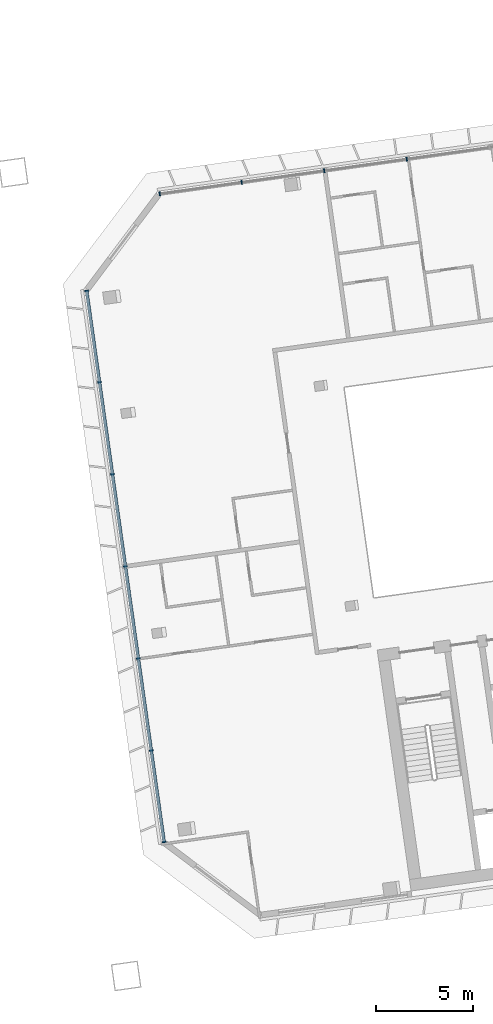
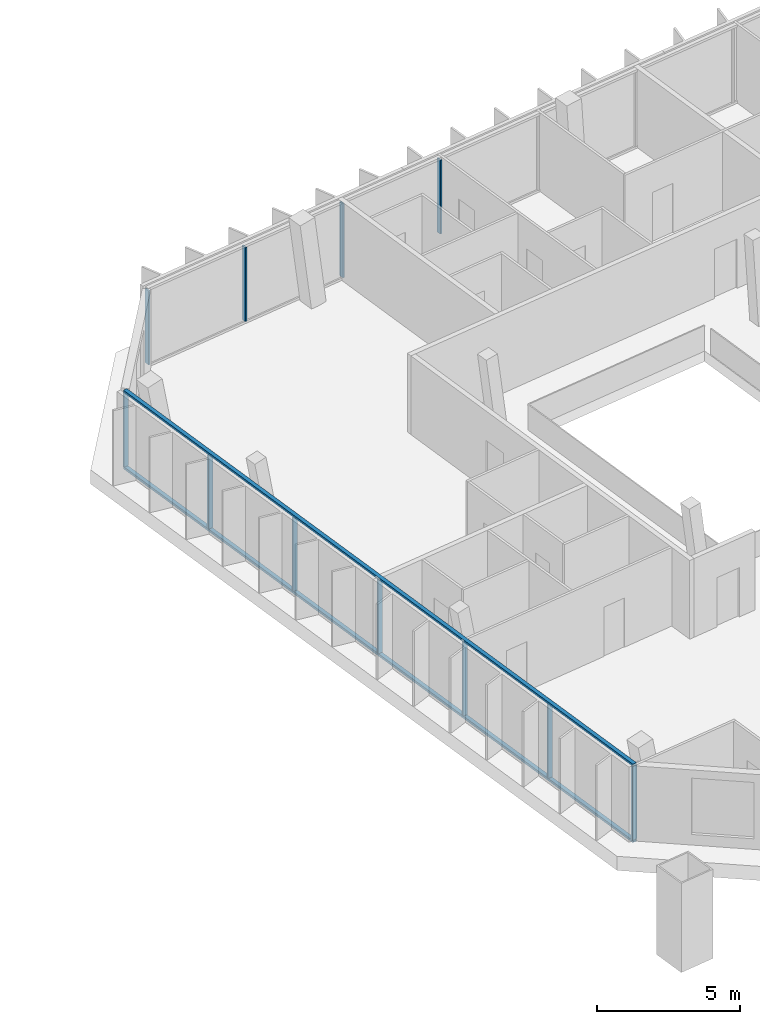
# One storey, part 6 of 19: 13 members, 2 elements without a shape of their own.
"""IFC4 building model written with IfcOpenShell, lengths in metres."""

from ifc_helpers import new_model, si_unit, direction, frame, origin, origin_2d, place, context, subcontext, project, spatial, rectangle, extrude, material, material_profile, profile_set, type_object, element, aggregate, save


model = new_model("IFC4")

# Units and contexts
model_context = context("Model", 3, precision=1e-05, world=origin(), true_north=direction((0.0, 1.0)))
body_context = subcontext(model_context, "Body", "Model", "MODEL_VIEW")
ifc_project = project(units=[si_unit("LENGTHUNIT", "METRE"), si_unit("AREAUNIT", "SQUARE_METRE"), si_unit("VOLUMEUNIT", "CUBIC_METRE"), si_unit("PLANEANGLEUNIT", "RADIAN"), si_unit("MASSUNIT", "GRAM", prefix="KILO")], contexts=[model_context])

# Site, building, storey
site_placement = place(None, origin())
site = spatial("IfcSite", under=ifc_project, at=site_placement, CompositionType="ELEMENT")
building_placement = place(site_placement, origin())
building = spatial("IfcBuilding", under=site, at=building_placement, Name="Mirante Cascada Hotel Towers", CompositionType="ELEMENT")
storey_placement = place(building_placement, frame((0.0, 0.0, 231.8)))
storey = spatial("IfcBuildingStorey", under=building, at=storey_placement, Name="L55", CompositionType="ELEMENT", Elevation=231.8)

# Curtain wall, members
ifc_material_1 = material(Name="Aluminium mullion and transom frame with clear laminated glass", Category="aluminium")
curtain_wall_type_1 = type_object("IfcCurtainWallType", Name="Ribbon curtain wall ECW1", PredefinedType="NOTDEFINED", material=ifc_material_1)
curtain_wall_1_placement = place(storey_placement, origin())
curtain_wall_1 = element("IfcCurtainWall", 1, at=curtain_wall_1_placement, inside=storey, type_object=curtain_wall_type_1, Name="Front ribbon wall T2 L55", PredefinedType="NOTDEFINED")
ifc_material_2 = material(Name="Anodised aluminium extrusion", Category="aluminium")
ifc_material_profile_1 = material_profile(ifc_material_2, rectangle(XDim=0.2, YDim=0.065, at=origin_2d()), Name="ECW1 MULLION 65x200")
ifc_profile_set_1 = profile_set([ifc_material_profile_1], Name="Anodised aluminium extrusion")
member_type_1 = type_object("IfcMemberType", Name="ECW1 mullion 65x200", PredefinedType="MULLION", material=ifc_profile_set_1)
member_1_placement = place(storey_placement, frame((37.1339, 18.0379, 0.1), z_axis=(0.0, 0.0, 1.0), x_axis=(0.1391731, -0.9902681, 0.0)))
member_1 = element("IfcMember", 2, at=member_1_placement, type_object=member_type_1, Name="ECW1 mullion 6", PredefinedType="MULLION", context=body_context, shape_type="SweptSolid", body=[
    extrude(rectangle(XDim=0.2, YDim=0.065, at=origin_2d()), origin(), (0.0, 0.0, 1.0), 3.15),
])
member_2_placement = place(storey_placement, frame((32.859, 17.4371, 0.1), z_axis=(0.0, 0.0, 1.0), x_axis=(0.1391731, -0.9902681, 0.0)))
member_2 = element("IfcMember", 3, at=member_2_placement, type_object=member_type_1, Name="ECW1 mullion 7", PredefinedType="MULLION", context=body_context, shape_type="SweptSolid", body=[
    extrude(rectangle(XDim=0.2, YDim=0.065, at=origin_2d()), origin(), (0.0, 0.0, 1.0), 3.15),
])
member_3_placement = place(storey_placement, frame((28.5841, 16.8363, 0.1), z_axis=(0.0, 0.0, 1.0), x_axis=(0.1391731, -0.9902681, 0.0)))
member_3 = element("IfcMember", 4, at=member_3_placement, type_object=member_type_1, Name="ECW1 mullion 8", PredefinedType="MULLION", context=body_context, shape_type="SweptSolid", body=[
    extrude(rectangle(XDim=0.2, YDim=0.065, at=origin_2d()), origin(), (0.0, 0.0, 1.0), 3.15),
])
member_4_placement = place(storey_placement, frame((24.3414, 16.24, 0.1), z_axis=(0.0, 0.0, 1.0), x_axis=(0.1391731, -0.9902681, 0.0)))
member_4 = element("IfcMember", 5, at=member_4_placement, type_object=member_type_1, Name="ECW1 mullion 9", PredefinedType="MULLION", context=body_context, shape_type="SweptSolid", body=[
    extrude(rectangle(XDim=0.2, YDim=0.065, at=origin_2d()), origin(), (0.0, 0.0, 1.0), 3.15),
])
aggregate(curtain_wall_1, [member_1, member_2, member_3, member_4])

ifc_material_3 = material(Name="Aluminium mullion and transom frame with clear laminated glass", Category="aluminium")
curtain_wall_type_2 = type_object("IfcCurtainWallType", Name="End ribbon curtain wall ECW2", PredefinedType="NOTDEFINED", material=ifc_material_3)
curtain_wall_2_placement = place(storey_placement, origin())
curtain_wall_2 = element("IfcCurtainWall", 6, at=curtain_wall_2_placement, inside=storey, type_object=curtain_wall_type_2, Name="Inner end wall T2 L55", PredefinedType="NOTDEFINED")
ifc_material_4 = material(Name="Anodised aluminium extrusion", Category="aluminium")
ifc_material_profile_2 = material_profile(ifc_material_4, rectangle(XDim=0.2, YDim=0.065, at=origin_2d()), Name="ECW2 MULLION 65x200")
ifc_profile_set_2 = profile_set([ifc_material_profile_2], Name="Anodised aluminium extrusion")
member_type_2 = type_object("IfcMemberType", Name="ECW2 mullion 65x200", PredefinedType="MULLION", material=ifc_profile_set_2)
member_5_placement = place(storey_placement, frame((20.5586, 11.22, 0.1), z_axis=(0.0, 0.0, 1.0), x_axis=(0.9902681, 0.1391731, 0.0)))
member_5 = element("IfcMember", 7, at=member_5_placement, type_object=member_type_2, Name="ECW2 mullion 1", PredefinedType="MULLION", context=body_context, shape_type="SweptSolid", body=[
    extrude(rectangle(XDim=0.2, YDim=0.065, at=origin_2d()), origin(), (0.0, 0.0, 1.0), 3.15),
])
member_6_placement = place(storey_placement, frame((21.2238, 6.4864, 0.1), z_axis=(0.0, 0.0, 1.0), x_axis=(0.9902681, 0.1391731, 0.0)))
member_6 = element("IfcMember", 8, at=member_6_placement, type_object=member_type_2, Name="ECW2 mullion 2", PredefinedType="MULLION", context=body_context, shape_type="SweptSolid", body=[
    extrude(rectangle(XDim=0.2, YDim=0.065, at=origin_2d()), origin(), (0.0, 0.0, 1.0), 3.15),
])
member_7_placement = place(storey_placement, frame((21.8936, 1.7206, 0.1), z_axis=(0.0, 0.0, 1.0), x_axis=(0.9902681, 0.1391731, 0.0)))
member_7 = element("IfcMember", 9, at=member_7_placement, type_object=member_type_2, Name="ECW2 mullion 3", PredefinedType="MULLION", context=body_context, shape_type="SweptSolid", body=[
    extrude(rectangle(XDim=0.2, YDim=0.065, at=origin_2d()), origin(), (0.0, 0.0, 1.0), 3.15),
])
member_8_placement = place(storey_placement, frame((22.5634, -3.0451, 0.1), z_axis=(0.0, 0.0, 1.0), x_axis=(0.9902681, 0.1391731, 0.0)))
member_8 = element("IfcMember", 10, at=member_8_placement, type_object=member_type_2, Name="ECW2 mullion 4", PredefinedType="MULLION", context=body_context, shape_type="SweptSolid", body=[
    extrude(rectangle(XDim=0.2, YDim=0.065, at=origin_2d()), origin(), (0.0, 0.0, 1.0), 3.15),
])
member_9_placement = place(storey_placement, frame((23.2332, -7.8109, 0.1), z_axis=(0.0, 0.0, 1.0), x_axis=(0.9902681, 0.1391731, 0.0)))
member_9 = element("IfcMember", 11, at=member_9_placement, type_object=member_type_2, Name="ECW2 mullion 5", PredefinedType="MULLION", context=body_context, shape_type="SweptSolid", body=[
    extrude(rectangle(XDim=0.2, YDim=0.065, at=origin_2d()), origin(), (0.0, 0.0, 1.0), 3.15),
])
member_10_placement = place(storey_placement, frame((23.903, -12.5767, 0.1), z_axis=(0.0, 0.0, 1.0), x_axis=(0.9902681, 0.1391731, 0.0)))
member_10 = element("IfcMember", 12, at=member_10_placement, type_object=member_type_2, Name="ECW2 mullion 6", PredefinedType="MULLION", context=body_context, shape_type="SweptSolid", body=[
    extrude(rectangle(XDim=0.2, YDim=0.065, at=origin_2d()), origin(), (0.0, 0.0, 1.0), 3.15),
])
member_11_placement = place(storey_placement, frame((24.5682, -17.3103, 0.1), z_axis=(0.0, 0.0, 1.0), x_axis=(0.9902681, 0.1391731, 0.0)))
member_11 = element("IfcMember", 13, at=member_11_placement, type_object=member_type_2, Name="ECW2 mullion 7", PredefinedType="MULLION", context=body_context, shape_type="SweptSolid", body=[
    extrude(rectangle(XDim=0.2, YDim=0.065, at=origin_2d()), origin(), (0.0, 0.0, 1.0), 3.15),
])
ifc_material_5 = material(Name="Anodised aluminium extrusion", Category="aluminium")
ifc_material_profile_3 = material_profile(ifc_material_5, rectangle(XDim=0.16, YDim=0.1, at=origin_2d()), Name="ECW2 TRANSOM 100x160")
ifc_profile_set_3 = profile_set([ifc_material_profile_3], Name="Anodised aluminium extrusion")
member_type_3 = type_object("IfcMemberType", Name="ECW2 transom 100x160", PredefinedType="USERDEFINED", material=ifc_profile_set_3)
member_12_placement = place(storey_placement, frame((20.554, 11.2522, 0.05), z_axis=(0.1391757, -0.9902677, 0.0), x_axis=(0.9902677, 0.1391757, 0.0)))
member_12 = element("IfcMember", 14, at=member_12_placement, type_object=member_type_3, Name="ECW2 sill transom", ObjectType="TRANSOM", PredefinedType="USERDEFINED", context=body_context, shape_type="SweptSolid", body=[
    extrude(rectangle(XDim=0.16, YDim=0.1, at=origin_2d()), origin(), (0.0, 0.0, 1.0), 28.8757),
])
member_13_placement = place(storey_placement, frame((20.554, 11.2522, 3.3), z_axis=(0.1391757, -0.9902677, 0.0), x_axis=(0.9902677, 0.1391757, 0.0)))
member_13 = element("IfcMember", 15, at=member_13_placement, type_object=member_type_3, Name="ECW2 head transom", ObjectType="TRANSOM", PredefinedType="USERDEFINED", context=body_context, shape_type="SweptSolid", body=[
    extrude(rectangle(XDim=0.16, YDim=0.1, at=origin_2d()), origin(), (0.0, 0.0, 1.0), 28.8757),
])
aggregate(curtain_wall_2, [member_12, member_13, member_5, member_6, member_7, member_8, member_9, member_10, member_11])

save(model, "model.ifc")
